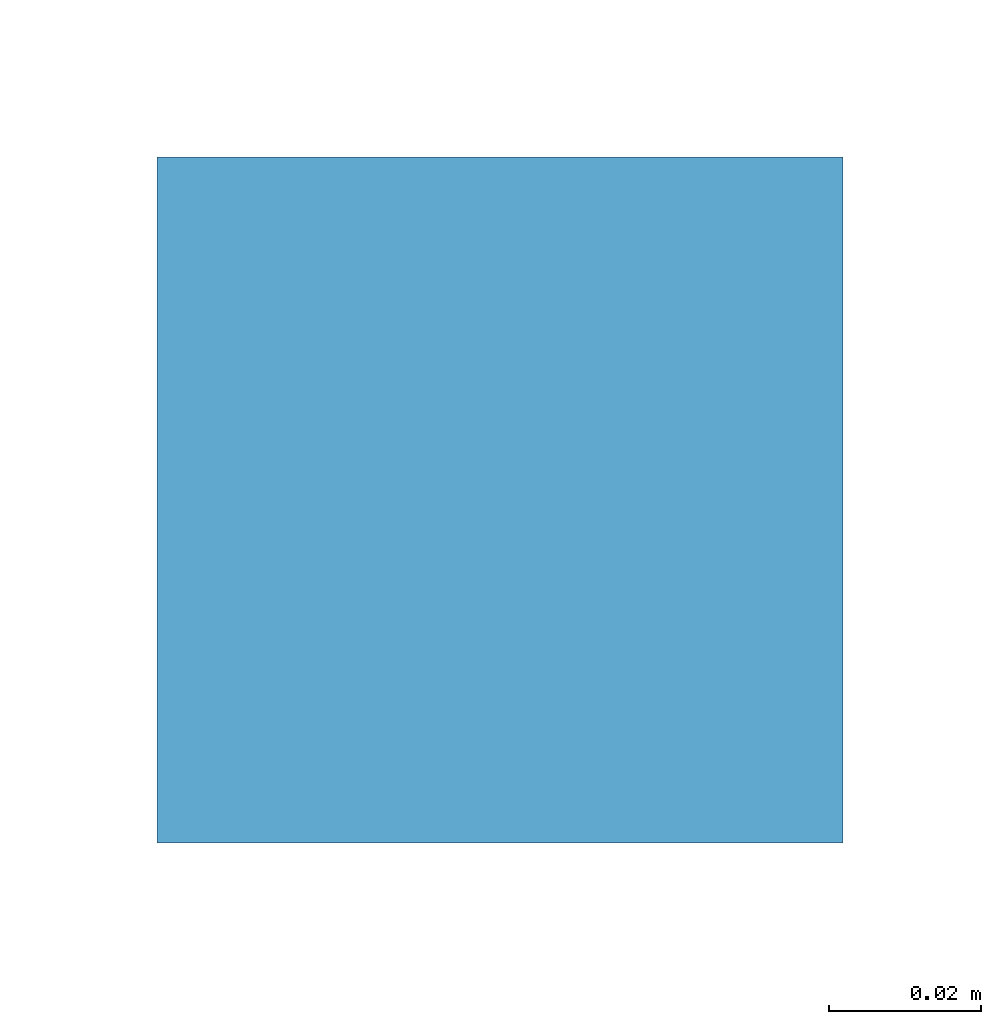
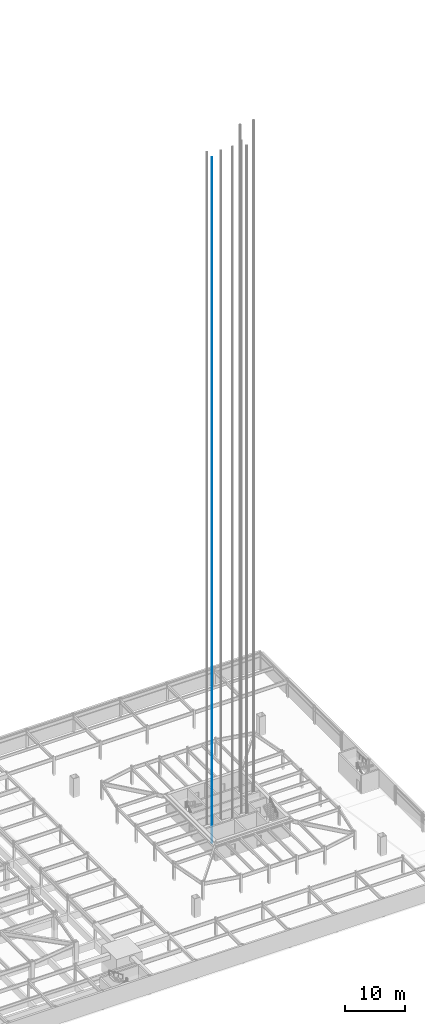
# One storey, part 25 of 35: 1 discrete accessory.
"""IFC4 building model written with IfcOpenShell, lengths in metres."""

from ifc_helpers import new_model, si_unit, direction, frame, origin, origin_2d, place, context, subcontext, project, spatial, rectangle, extrude, material, element, save


model = new_model("IFC4")

# Units and contexts
model_context = context("Model", 3, precision=1e-05, world=origin(), true_north=direction((0.0, 1.0)))
body_context = subcontext(model_context, "Body", "Model", "MODEL_VIEW")
ifc_project = project(units=[si_unit("LENGTHUNIT", "METRE"), si_unit("AREAUNIT", "SQUARE_METRE"), si_unit("VOLUMEUNIT", "CUBIC_METRE"), si_unit("PLANEANGLEUNIT", "RADIAN"), si_unit("MASSUNIT", "GRAM", prefix="KILO")], contexts=[model_context])

# Site, building, storey
site_placement = place(None, origin())
site = spatial("IfcSite", under=ifc_project, at=site_placement, CompositionType="ELEMENT")
building_placement = place(site_placement, origin())
building = spatial("IfcBuilding", under=site, at=building_placement, Name="Iwan Alto Co-Living Towers", CompositionType="ELEMENT")
storey_placement = place(building_placement, frame((0.0, 0.0, -7.199951171875)))
storey = spatial("IfcBuildingStorey", under=building, at=storey_placement, Name="B2", CompositionType="ELEMENT", Elevation=-7.199951171875)

# Discrete accessory
ifc_material = material(Name="Steel ASTM A36", Category="steel")
placement = place(storey_placement, frame((57.966552734375, -2.449951171875, 0.0), z_axis=(0.0, 0.0, 1.0), x_axis=(1.0, 0.0, 0.0)))
discrete_accessory_placement = place(placement, origin())
element("IfcDiscreteAccessory", 1, at=discrete_accessory_placement, inside=storey, material=ifc_material, Name="Lift P5-1 guide rail 1", ObjectType="Lift guide rail", PredefinedType="USERDEFINED", context=body_context, shape_type="SweptSolid", body=[
    extrude(rectangle(XDim=0.09, YDim=0.09, at=origin_2d()), frame((0.0, -0.85009765625, -0.199951171875)), (0.0, 0.0, 1.0), 139.300048828125),
])

save(model, "model.ifc")
